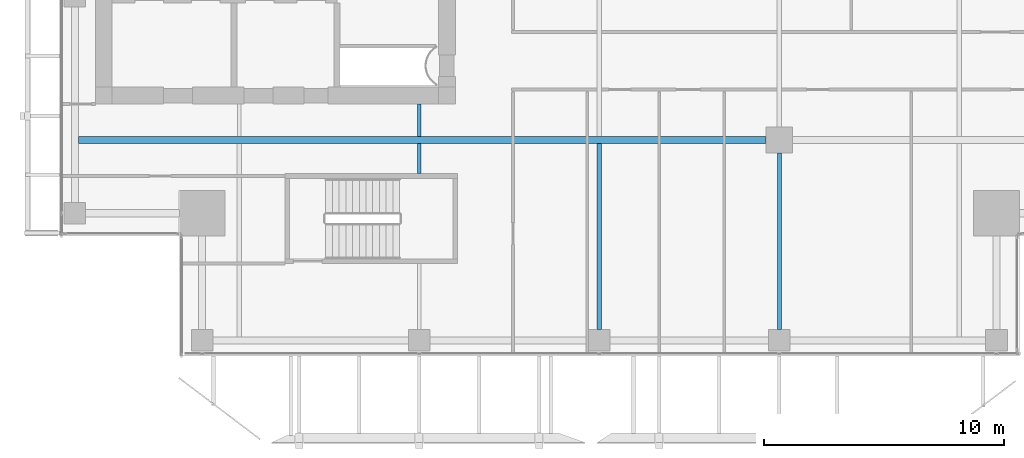
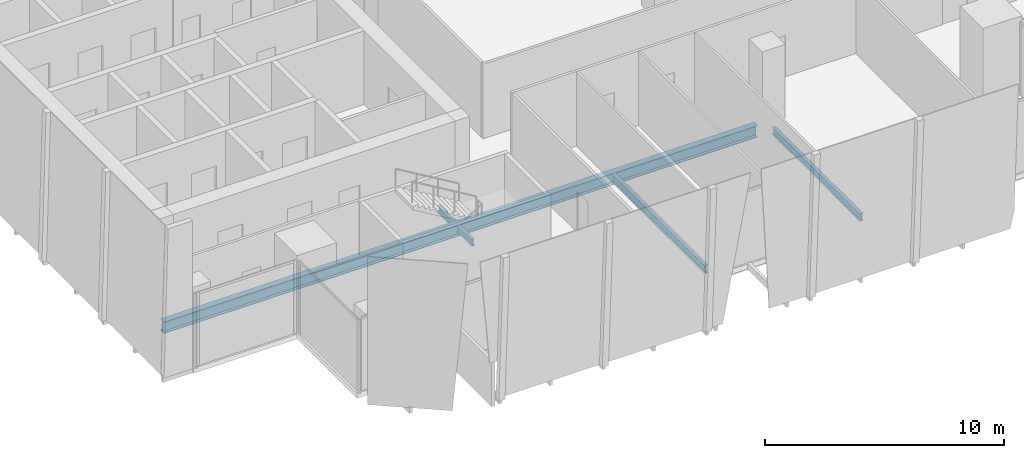
# One storey, part 5 of 35: 5 beams.
"""IFC4 building model written with IfcOpenShell, lengths in metres."""

from ifc_helpers import new_model, si_unit, direction, frame, origin, origin_2d, place, context, subcontext, project, spatial, i_section, extrude, source, transform, mapped, material, material_profile, profile_set, type_object, element, save


model = new_model("IFC4")

# Units and contexts
model_context = context("Model", 3, precision=1e-05, world=origin(), true_north=direction((0.0, 1.0)))
body_context = subcontext(model_context, "Body", "Model", "MODEL_VIEW")
ifc_project = project(units=[si_unit("LENGTHUNIT", "METRE"), si_unit("AREAUNIT", "SQUARE_METRE"), si_unit("VOLUMEUNIT", "CUBIC_METRE"), si_unit("PLANEANGLEUNIT", "RADIAN"), si_unit("MASSUNIT", "GRAM", prefix="KILO")], contexts=[model_context])

# Site, building, storey
site_placement = place(None, origin())
site = spatial("IfcSite", under=ifc_project, at=site_placement, CompositionType="ELEMENT")
building_placement = place(site_placement, origin())
building = spatial("IfcBuilding", under=site, at=building_placement, Name="Khomas Fold Tower", CompositionType="ELEMENT")
storey_placement = place(building_placement, frame((0.0, 0.0, 266.199951171875)))
storey = spatial("IfcBuildingStorey", under=building, at=storey_placement, Name="L60", CompositionType="ELEMENT", Elevation=266.199951171875)

# Beams
ifc_material_1 = material(Name="Steel S355", Category="steel")
ifc_material_profile_1 = material_profile(ifc_material_1, i_section(OverallWidth=0.159912109375, OverallDepth=0.330078125, WebThickness=0.007568359375, FlangeThickness=0.011474609375, at=origin_2d()), Name="IPE 330")
ifc_profile_set_1 = profile_set([ifc_material_profile_1], Name="Steel S355")
beam_type_1 = type_object("IfcBeamType", Name="IPE 330 beam JB1", PredefinedType="BEAM", material=ifc_profile_set_1)
shared_shape_1 = source(origin(), body_context, "Body", "SweptSolid", [
    extrude(i_section(OverallWidth=0.159912109375, OverallDepth=0.330078125, WebThickness=0.007568359375, FlangeThickness=0.011474609375, at=origin_2d()), origin(), (0.0, 0.0, 1.0), 1.25),
])
beam_1_placement = place(storey_placement, frame((19.5, 12.10009765625, -0.4150390625), z_axis=(0.0, 1.0, 0.0), x_axis=(-1.0, 0.0, 0.0)))
element("IfcBeam", 1, at=beam_1_placement, inside=storey, type_object=beam_type_1, Name="JB1", PredefinedType="BEAM", context=body_context, shape_type="MappedRepresentation", body=[
    mapped(shared_shape_1, transform((0.0, 0.0, 0.0))),
])
shared_shape_2 = source(origin(), body_context, "Body", "SweptSolid", [
    extrude(i_section(OverallWidth=0.159912109375, OverallDepth=0.330078125, WebThickness=0.007568359375, FlangeThickness=0.011474609375, at=origin_2d()), origin(), (0.0, 0.0, 1.0), 1.35009765625),
])
beam_2_placement = place(storey_placement, frame((19.5, 13.64990234375, -0.4150390625), z_axis=(0.0, 1.0, 0.0), x_axis=(-1.0, 0.0, 0.0)))
element("IfcBeam", 2, at=beam_2_placement, inside=storey, type_object=beam_type_1, Name="JB1", PredefinedType="BEAM", context=body_context, shape_type="MappedRepresentation", body=[
    mapped(shared_shape_2, transform((0.0, 0.0, 0.0))),
])
ifc_material_2 = material(Name="Steel S355", Category="steel")
ifc_material_profile_2 = material_profile(ifc_material_2, i_section(OverallWidth=0.300048828125, OverallDepth=0.60009765625, WebThickness=0.015380859375, FlangeThickness=0.030029296875, at=origin_2d()), Name="HE 600 B")
ifc_profile_set_2 = profile_set([ifc_material_profile_2], Name="Steel S355")
beam_type_2 = type_object("IfcBeamType", Name="HE 600 B beam GB5", PredefinedType="BEAM", material=ifc_profile_set_2)
shared_shape_3 = source(origin(), body_context, "Body", "SweptSolid", [
    extrude(i_section(OverallWidth=0.300048828125, OverallDepth=0.60009765625, WebThickness=0.015380859375, FlangeThickness=0.030029296875, at=origin_2d()), origin(), (0.0, 0.0, 1.0), 28.64990234375),
])
beam_3_placement = place(storey_placement, frame((5.300048828125, 13.5, -0.550048828125), z_axis=(1.0, 0.0, 0.0), x_axis=(0.0, 1.0, 0.0)))
element("IfcBeam", 3, at=beam_3_placement, inside=storey, type_object=beam_type_2, Name="GB5", PredefinedType="BEAM", context=body_context, shape_type="MappedRepresentation", body=[
    mapped(shared_shape_3, transform((0.0, 0.0, 0.0))),
])
ifc_material_3 = material(Name="Steel S355", Category="steel")
ifc_material_profile_3 = material_profile(ifc_material_3, i_section(OverallWidth=0.179931640625, OverallDepth=0.39990234375, WebThickness=0.008544921875, FlangeThickness=0.013427734375, at=origin_2d()), Name="IPE 400")
ifc_profile_set_3 = profile_set([ifc_material_profile_3], Name="Steel S355")
beam_type_3 = type_object("IfcBeamType", Name="IPE 400 beam JB3", PredefinedType="BEAM", material=ifc_profile_set_3)
shared_shape_4 = source(origin(), body_context, "Body", "SweptSolid", [
    extrude(i_section(OverallWidth=0.179931640625, OverallDepth=0.39990234375, WebThickness=0.008544921875, FlangeThickness=0.013427734375, at=origin_2d()), origin(), (0.0, 0.0, 1.0), 7.75),
])
beam_4_placement = place(storey_placement, frame((27.0, 5.60009765625, -0.449951171875), z_axis=(0.0, 1.0, 0.0), x_axis=(-1.0, 0.0, 0.0)))
element("IfcBeam", 4, at=beam_4_placement, inside=storey, type_object=beam_type_3, Name="JB3", PredefinedType="BEAM", context=body_context, shape_type="MappedRepresentation", body=[
    mapped(shared_shape_4, transform((0.0, 0.0, 0.0))),
])
ifc_material_4 = material(Name="Steel S355", Category="steel")
ifc_material_profile_4 = material_profile(ifc_material_4, i_section(OverallWidth=0.169921875, OverallDepth=0.360107421875, WebThickness=0.008056640625, FlangeThickness=0.0126953125, at=origin_2d()), Name="IPE 360")
ifc_profile_set_4 = profile_set([ifc_material_profile_4], Name="Steel S355")
beam_type_4 = type_object("IfcBeamType", Name="IPE 360 beam JB2", PredefinedType="BEAM", material=ifc_profile_set_4)
shared_shape_5 = source(origin(), body_context, "Body", "SweptSolid", [
    extrude(i_section(OverallWidth=0.169921875, OverallDepth=0.360107421875, WebThickness=0.008056640625, FlangeThickness=0.0126953125, at=origin_2d()), origin(), (0.0, 0.0, 1.0), 7.349853515625),
])
beam_5_placement = place(storey_placement, frame((34.5, 5.60009765625, -0.429931640625), z_axis=(0.0, 1.0, 0.0), x_axis=(-1.0, 0.0, 0.0)))
element("IfcBeam", 5, at=beam_5_placement, inside=storey, type_object=beam_type_4, Name="JB2", PredefinedType="BEAM", context=body_context, shape_type="MappedRepresentation", body=[
    mapped(shared_shape_5, transform((0.0, 0.0, 0.0))),
])

save(model, "model.ifc")
